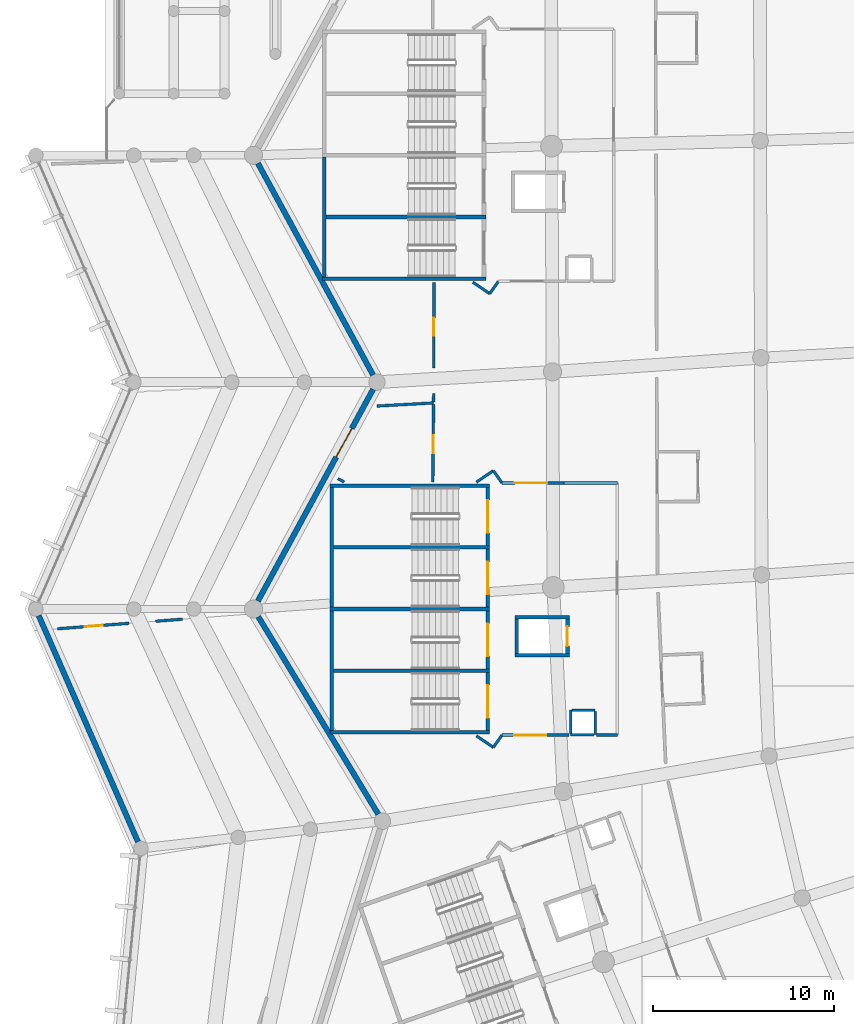
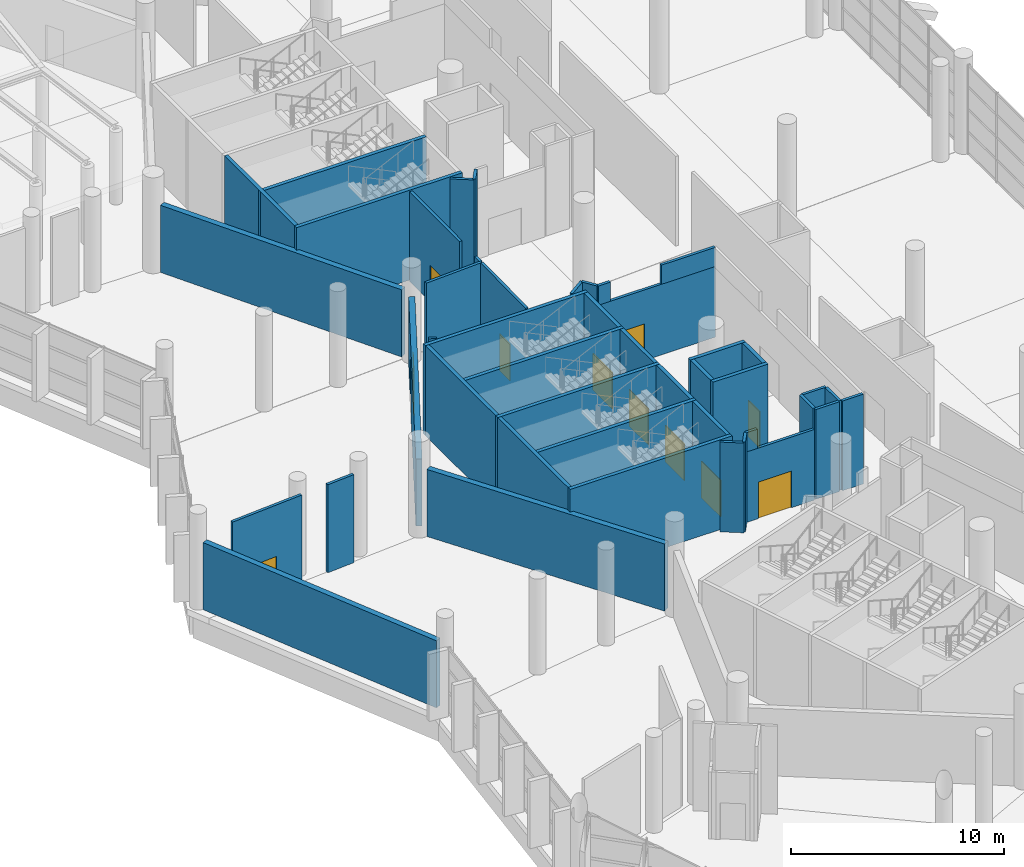
# One storey, part 166 of 271: 45 walls, 11 doors, 11 openings.
"""IFC4 building model written with IfcOpenShell, lengths in metres."""

from ifc_helpers import new_model, si_unit, direction, frame, frame_2d, origin, place, context, subcontext, project, spatial, rectangle, extrude, material, layer, layer_set, type_object, element, fill, save


model = new_model("IFC4")

# Units and contexts
model_context = context("Model", 3, precision=1e-05, world=origin(), true_north=direction((0.0, 1.0)))
body_context = subcontext(model_context, "Body", "Model", "MODEL_VIEW")
ifc_project = project(units=[si_unit("LENGTHUNIT", "METRE"), si_unit("AREAUNIT", "SQUARE_METRE"), si_unit("VOLUMEUNIT", "CUBIC_METRE"), si_unit("PLANEANGLEUNIT", "RADIAN"), si_unit("MASSUNIT", "GRAM", prefix="KILO")], contexts=[model_context])

# Site, building, storey
site_placement = place(None, origin())
site = spatial("IfcSite", under=ifc_project, at=site_placement, CompositionType="ELEMENT")
building_placement = place(site_placement, origin())
building = spatial("IfcBuilding", under=site, at=building_placement, Name="Meseta Stadium", CompositionType="ELEMENT")
storey_placement = place(building_placement, frame((0.0, 0.0, 6.5)))
storey = spatial("IfcBuildingStorey", under=building, at=storey_placement, Name="L01", CompositionType="ELEMENT", Elevation=6.5)

# Walls
ifc_material_1 = material(Name="Concrete C40/50", Category="concrete")
ifc_layer_1 = layer(ifc_material_1, 0.199951171875)
ifc_layer_set_1 = layer_set([ifc_layer_1], Name="Core divider wall 200")
wall_type_1 = type_object("IfcWallType", Name="Core divider wall 200", PredefinedType="SHEAR", material=ifc_layer_set_1)
wall_1_placement = place(storey_placement, frame((-97.60009765625, -22.14990234375, 0.0), z_axis=(0.0, 0.0, 1.0), x_axis=(1.0, 0.0, 0.0)))
element("IfcWall", 1, at=wall_1_placement, inside=storey, type_object=wall_type_1, Name="Core 18 L01 stair B divider wall", PredefinedType="SHEAR", context=body_context, shape_type="SweptSolid", body=[
    extrude(rectangle(XDim=9.0, YDim=0.199951171875, at=frame_2d((4.5, 0.0))), origin(), (0.0, 0.0, 1.0), 5.14990234375),
])
for number, where, z_axis, x_axis, name in (
    (2, (-97.199951171875, -40.35009765625, 0.0), (0.0, 0.0, 1.0), (1.0, 0.0, 0.0), "Core 19 L01 stair A divider wall"),
    (3, (-97.199951171875, -47.14990234375, 0.0), (0.0, 0.0, 1.0), (1.0, 0.0, 0.0), "Core 19 L01 stair B divider wall"),
):
    element("IfcWall", number, at=place(storey_placement, frame(where, z_axis=z_axis, x_axis=x_axis)), inside=storey, type_object=wall_type_1, Name=name, PredefinedType="SHEAR", context=body_context, shape_type="SweptSolid", body=[
        extrude(rectangle(XDim=8.800048828125, YDim=0.199951171875, at=frame_2d((4.39990234375, 0.0))), origin(), (0.0, 0.0, 1.0), 5.14990234375),
    ])
ifc_material_2 = material(Name="Concrete C40/50", Category="concrete")
ifc_layer_2 = layer(ifc_material_2, 0.199951171875)
ifc_layer_set_2 = layer_set([ifc_layer_2], Name="Core shaft wall 200")
wall_type_2 = type_object("IfcWallType", Name="Core shaft wall 200", PredefinedType="SHEAR", material=ifc_layer_set_2)
wall_2_placement = place(storey_placement, frame((-97.60009765625, -25.550048828125, 0.0), z_axis=(0.0, 0.0, 1.0), x_axis=(1.0, 0.0, 0.0)))
element("IfcWall", 4, at=wall_2_placement, inside=storey, type_object=wall_type_2, Name="Core 18 L01 stair wall B-side", PredefinedType="SHEAR", context=body_context, shape_type="SweptSolid", body=[
    extrude(rectangle(XDim=9.0, YDim=0.199951171875, at=frame_2d((4.5, 0.0))), origin(), (0.0, 0.0, 1.0), 5.14990234375),
])
wall_3_placement = place(storey_placement, frame((-97.5, -18.85009765625, 0.0), z_axis=(0.0, 0.0, 1.0), x_axis=(0.0, -1.0, 0.0)))
element("IfcWall", 5, at=wall_3_placement, inside=storey, type_object=wall_type_2, Name="Core 18 L01 stair B outer end wall", PredefinedType="SHEAR", context=body_context, shape_type="SweptSolid", body=[
    extrude(rectangle(XDim=6.599853515625, YDim=0.199951171875, at=frame_2d((3.2998046875, 0.0))), origin(), (0.0, 0.0, 1.0), 5.14990234375),
])
for number, where, z_axis, x_axis, name in (
    (6, (-97.199951171875, -36.949951171875, 0.0), (0.0, 0.0, 1.0), (1.0, 0.0, 0.0), "Core 19 L01 stair wall A-side"),
    (7, (-97.199951171875, -43.75, 0.0), (0.0, 0.0, 1.0), (1.0, 0.0, 0.0), "Core 19 L01 stair wall shared"),
    (8, (-97.199951171875, -50.550048828125, 0.0), (0.0, 0.0, 1.0), (1.0, 0.0, 0.0), "Core 19 L01 stair wall B-side"),
):
    element("IfcWall", number, at=place(storey_placement, frame(where, z_axis=z_axis, x_axis=x_axis)), inside=storey, type_object=wall_type_2, Name=name, PredefinedType="SHEAR", context=body_context, shape_type="SweptSolid", body=[
        extrude(rectangle(XDim=8.800048828125, YDim=0.199951171875, at=frame_2d((4.39990234375, 0.0))), origin(), (0.0, 0.0, 1.0), 5.14990234375),
    ])
for number, where, z_axis, x_axis, name in (
    (9, (-97.10009765625, -37.050048828125, 0.0), (0.0, 0.0, 1.0), (0.0, -1.0, 0.0), "Core 19 L01 stair A outer end wall"),
    (10, (-97.10009765625, -43.85009765625, 0.0), (0.0, 0.0, 1.0), (0.0, -1.0, 0.0), "Core 19 L01 stair B outer end wall"),
):
    element("IfcWall", number, at=place(storey_placement, frame(where, z_axis=z_axis, x_axis=x_axis)), inside=storey, type_object=wall_type_2, Name=name, PredefinedType="SHEAR", context=body_context, shape_type="SweptSolid", body=[
        extrude(rectangle(XDim=6.599853515625, YDim=0.199951171875, at=frame_2d((3.2998046875, 0.0))), origin(), (0.0, 0.0, 1.0), 5.14990234375),
    ])

# Wall, opening, door
wall_4_placement = place(storey_placement, frame((-88.5, -37.050048828125, 0.0), z_axis=(0.0, 0.0, 1.0), x_axis=(0.0, -1.0, 0.0)))
wall_4 = element("IfcWall", 11, at=wall_4_placement, inside=storey, type_object=wall_type_2, Name="Core 19 L01 stair A1 inner end wall", PredefinedType="SHEAR", context=body_context, shape_type="SweptSolid", body=[
    extrude(rectangle(XDim=3.199951171875, YDim=0.199951171875, at=frame_2d((1.60009765625, 0.0))), origin(), (0.0, 0.0, 1.0), 5.14990234375),
])
opening_1_placement = place(wall_4_placement, frame((0.699951171875, 0.0, 0.0)))
opening_1 = element("IfcOpeningElement", 12, at=opening_1_placement, cuts=wall_4, Name="Opening D265", PredefinedType="OPENING", context=body_context, shape_type="SweptSolid", body=[
    extrude(rectangle(XDim=1.800048828125, YDim=2.10009765625, at=frame_2d((0.89990234375, 1.050048828125))), frame((0.0, 0.10986328125, 0.0), z_axis=(0.0, -1.0, 0.0), x_axis=(1.0, 0.0, 0.0)), (0.0, 0.0, 1.0), 0.219970703125),
])
ifc_material_3 = material(Name="Steel", Category="steel")
door_type_1 = type_object("IfcDoorType", Name="Stair door 1800x2100", OperationType="DOUBLE_DOOR_SINGLE_SWING", PredefinedType="DOOR", material=ifc_material_3)
door_1_placement = place(opening_1_placement, origin())
door_1 = element("IfcDoor", 13, at=door_1_placement, inside=storey, type_object=door_type_1, Name="Stair A1 door 19 L01", OperationType="DOUBLE_DOOR_SINGLE_SWING", OverallHeight=2.10009765625, OverallWidth=1.800048828125, PredefinedType="DOOR", context=body_context, shape_type="SweptSolid", body=[
    extrude(rectangle(XDim=1.800048828125, YDim=2.10009765625, at=frame_2d((0.89990234375, 1.050048828125))), frame((0.0, 0.02490234375, 0.0), z_axis=(0.0, -1.0, 0.0), x_axis=(1.0, 0.0, 0.0)), (0.0, 0.0, 1.0), 0.050048828125),
])
fill(opening_1, door_1)

wall_5_placement = place(storey_placement, frame((-88.5, -40.449951171875, 0.0), z_axis=(0.0, 0.0, 1.0), x_axis=(0.0, -1.0, 0.0)))
wall_5 = element("IfcWall", 14, at=wall_5_placement, inside=storey, type_object=wall_type_2, Name="Core 19 L01 stair A2 inner end wall", PredefinedType="SHEAR", context=body_context, shape_type="SweptSolid", body=[
    extrude(rectangle(XDim=3.199951171875, YDim=0.199951171875, at=frame_2d((1.60009765625, 0.0))), origin(), (0.0, 0.0, 1.0), 5.14990234375),
])
opening_2_placement = place(wall_5_placement, frame((0.699951171875, 0.0, 0.0)))
opening_2 = element("IfcOpeningElement", 15, at=opening_2_placement, cuts=wall_5, Name="Opening D266", PredefinedType="OPENING", context=body_context, shape_type="SweptSolid", body=[
    extrude(rectangle(XDim=1.800048828125, YDim=2.10009765625, at=frame_2d((0.89990234375, 1.050048828125))), frame((0.0, 0.10986328125, 0.0), z_axis=(0.0, -1.0, 0.0), x_axis=(1.0, 0.0, 0.0)), (0.0, 0.0, 1.0), 0.219970703125),
])
door_2_placement = place(opening_2_placement, origin())
door_2 = element("IfcDoor", 16, at=door_2_placement, inside=storey, type_object=door_type_1, Name="Stair A2 door 19 L01", OperationType="DOUBLE_DOOR_SINGLE_SWING", OverallHeight=2.10009765625, OverallWidth=1.800048828125, PredefinedType="DOOR", context=body_context, shape_type="SweptSolid", body=[
    extrude(rectangle(XDim=1.800048828125, YDim=2.10009765625, at=frame_2d((0.89990234375, 1.050048828125))), frame((0.0, 0.02490234375, 0.0), z_axis=(0.0, -1.0, 0.0), x_axis=(1.0, 0.0, 0.0)), (0.0, 0.0, 1.0), 0.050048828125),
])
fill(opening_2, door_2)

wall_6_placement = place(storey_placement, frame((-88.5, -43.85009765625, 0.0), z_axis=(0.0, 0.0, 1.0), x_axis=(0.0, -1.0, 0.0)))
wall_6 = element("IfcWall", 17, at=wall_6_placement, inside=storey, type_object=wall_type_2, Name="Core 19 L01 stair B1 inner end wall", PredefinedType="SHEAR", context=body_context, shape_type="SweptSolid", body=[
    extrude(rectangle(XDim=3.199951171875, YDim=0.199951171875, at=frame_2d((1.60009765625, 0.0))), origin(), (0.0, 0.0, 1.0), 5.14990234375),
])
opening_3_placement = place(wall_6_placement, frame((0.699951171875, 0.0, 0.0)))
opening_3 = element("IfcOpeningElement", 18, at=opening_3_placement, cuts=wall_6, Name="Opening D267", PredefinedType="OPENING", context=body_context, shape_type="SweptSolid", body=[
    extrude(rectangle(XDim=1.800048828125, YDim=2.10009765625, at=frame_2d((0.89990234375, 1.050048828125))), frame((0.0, 0.10986328125, 0.0), z_axis=(0.0, -1.0, 0.0), x_axis=(1.0, 0.0, 0.0)), (0.0, 0.0, 1.0), 0.219970703125),
])
door_3_placement = place(opening_3_placement, origin())
door_3 = element("IfcDoor", 19, at=door_3_placement, inside=storey, type_object=door_type_1, Name="Stair B1 door 19 L01", OperationType="DOUBLE_DOOR_SINGLE_SWING", OverallHeight=2.10009765625, OverallWidth=1.800048828125, PredefinedType="DOOR", context=body_context, shape_type="SweptSolid", body=[
    extrude(rectangle(XDim=1.800048828125, YDim=2.10009765625, at=frame_2d((0.89990234375, 1.050048828125))), frame((0.0, 0.02490234375, 0.0), z_axis=(0.0, -1.0, 0.0), x_axis=(1.0, 0.0, 0.0)), (0.0, 0.0, 1.0), 0.050048828125),
])
fill(opening_3, door_3)

wall_7_placement = place(storey_placement, frame((-88.5, -47.25, 0.0), z_axis=(0.0, 0.0, 1.0), x_axis=(0.0, -1.0, 0.0)))
wall_7 = element("IfcWall", 20, at=wall_7_placement, inside=storey, type_object=wall_type_2, Name="Core 19 L01 stair B2 inner end wall", PredefinedType="SHEAR", context=body_context, shape_type="SweptSolid", body=[
    extrude(rectangle(XDim=3.199951171875, YDim=0.199951171875, at=frame_2d((1.60009765625, 0.0))), origin(), (0.0, 0.0, 1.0), 5.14990234375),
])
opening_4_placement = place(wall_7_placement, frame((0.699951171875, 0.0, 0.0)))
opening_4 = element("IfcOpeningElement", 21, at=opening_4_placement, cuts=wall_7, Name="Opening D268", PredefinedType="OPENING", context=body_context, shape_type="SweptSolid", body=[
    extrude(rectangle(XDim=1.800048828125, YDim=2.10009765625, at=frame_2d((0.89990234375, 1.050048828125))), frame((0.0, 0.10986328125, 0.0), z_axis=(0.0, -1.0, 0.0), x_axis=(1.0, 0.0, 0.0)), (0.0, 0.0, 1.0), 0.219970703125),
])
door_4_placement = place(opening_4_placement, origin())
door_4 = element("IfcDoor", 22, at=door_4_placement, inside=storey, type_object=door_type_1, Name="Stair B2 door 19 L01", OperationType="DOUBLE_DOOR_SINGLE_SWING", OverallHeight=2.10009765625, OverallWidth=1.800048828125, PredefinedType="DOOR", context=body_context, shape_type="SweptSolid", body=[
    extrude(rectangle(XDim=1.800048828125, YDim=2.10009765625, at=frame_2d((0.89990234375, 1.050048828125))), frame((0.0, 0.02490234375, 0.0), z_axis=(0.0, -1.0, 0.0), x_axis=(1.0, 0.0, 0.0)), (0.0, 0.0, 1.0), 0.050048828125),
])
fill(opening_4, door_4)

# Walls
for number, where, z_axis, x_axis, name in (
    (23, (-87.0, -44.199951171875, 0.0), (0.0, 0.0, 1.0), (1.0, 0.0, 0.0), "Core 19 L01 lift shaft wall left"),
    (24, (-87.0, -46.300048828125, 0.0), (0.0, 0.0, 1.0), (1.0, 0.0, 0.0), "Core 19 L01 lift shaft wall right"),
):
    element("IfcWall", number, at=place(storey_placement, frame(where, z_axis=z_axis, x_axis=x_axis)), inside=storey, type_object=wall_type_2, Name=name, PredefinedType="SHEAR", context=body_context, shape_type="SweptSolid", body=[
        extrude(rectangle(XDim=3.0, YDim=0.199951171875, at=frame_2d((1.5, 0.0))), origin(), (0.0, 0.0, 1.0), 5.14990234375),
    ])
wall_8_placement = place(storey_placement, frame((-86.89990234375, -44.300048828125, 0.0), z_axis=(0.0, 0.0, 1.0), x_axis=(0.0, -1.0, 0.0)))
element("IfcWall", 25, at=wall_8_placement, inside=storey, type_object=wall_type_2, Name="Core 19 L01 lift shaft back wall", PredefinedType="SHEAR", context=body_context, shape_type="SweptSolid", body=[
    extrude(rectangle(XDim=1.89990234375, YDim=0.199951171875, at=frame_2d((0.949951171875, 0.0))), origin(), (0.0, 0.0, 1.0), 5.14990234375),
])

# Wall, opening, door
wall_9_placement = place(storey_placement, frame((-84.10009765625, -44.300048828125, 0.0), z_axis=(0.0, 0.0, 1.0), x_axis=(0.0, -1.0, 0.0)))
wall_9 = element("IfcWall", 26, at=wall_9_placement, inside=storey, type_object=wall_type_2, Name="Core 19 L01 lift shaft front wall", PredefinedType="SHEAR", context=body_context, shape_type="SweptSolid", body=[
    extrude(rectangle(XDim=1.89990234375, YDim=0.199951171875, at=frame_2d((0.949951171875, 0.0))), origin(), (0.0, 0.0, 1.0), 5.14990234375),
])
opening_5_placement = place(wall_9_placement, frame((0.39990234375, 0.0, 0.0)))
opening_5 = element("IfcOpeningElement", 27, at=opening_5_placement, cuts=wall_9, Name="Opening LD105", PredefinedType="OPENING", context=body_context, shape_type="SweptSolid", body=[
    extrude(rectangle(XDim=1.10009765625, YDim=2.10009765625, at=frame_2d((0.550048828125, 1.050048828125))), frame((0.0, 0.10986328125, 0.0), z_axis=(0.0, -1.0, 0.0), x_axis=(1.0, 0.0, 0.0)), (0.0, 0.0, 1.0), 0.219970703125),
])
ifc_material_4 = material(Name="Steel", Category="steel")
door_type_2 = type_object("IfcDoorType", Name="Lift landing door 1100x2100", OperationType="SLIDING_TO_LEFT", PredefinedType="DOOR", material=ifc_material_4)
door_5_placement = place(opening_5_placement, origin())
door_5 = element("IfcDoor", 28, at=door_5_placement, inside=storey, type_object=door_type_2, Name="Lift landing door LD105", OperationType="SLIDING_TO_LEFT", OverallHeight=2.10009765625, OverallWidth=1.10009765625, PredefinedType="DOOR", context=body_context, shape_type="SweptSolid", body=[
    extrude(rectangle(XDim=1.10009765625, YDim=2.10009765625, at=frame_2d((0.550048828125, 1.050048828125))), frame((0.0, 0.02490234375, 0.0), z_axis=(0.0, -1.0, 0.0), x_axis=(1.0, 0.0, 0.0)), (0.0, 0.0, 1.0), 0.050048828125),
])
fill(opening_5, door_5)

# Walls
ifc_material_5 = material(Name="Masonry blockwork", Category="masonry")
ifc_layer_3 = layer(ifc_material_5, 0.14990234375)
ifc_layer_set_3 = layer_set([ifc_layer_3], Name="Partition 150")
wall_type_3 = type_object("IfcWallType", Name="Partition 150", PredefinedType="PARTITIONING", material=ifc_layer_set_3)
wall_10_placement = place(storey_placement, frame((-96.408447265625, -36.75, 0.0), z_axis=(0.0, 0.0, 1.0), x_axis=(-0.878438378965, 0.477855641759, 0.0)))
element("IfcWall", 29, at=wall_10_placement, inside=storey, type_object=wall_type_3, Name="Partition L01 L01-cell17-2-0a", PredefinedType="PARTITIONING", context=body_context, shape_type="SweptSolid", body=[
    extrude(rectangle(XDim=0.39501953125, YDim=0.14990234375, at=frame_2d((0.197509765625, 0.0))), origin(), (0.0, 0.0, 1.0), 5.14990234375),
])
wall_11_placement = place(storey_placement, frame((-94.59912109375, -32.56591796875, 0.0), z_axis=(0.0, 0.0, 1.0), x_axis=(0.998501215995, 0.054729531845, 0.0)))
element("IfcWall", 30, at=wall_11_placement, inside=storey, type_object=wall_type_3, Name="Partition L01 L01-cell17-2-0a", PredefinedType="PARTITIONING", context=body_context, shape_type="SweptSolid", body=[
    extrude(rectangle(XDim=3.12255859375, YDim=0.14990234375, at=frame_2d((1.561279296875, 0.0))), origin(), (0.0, 0.0, 1.0), 5.14990234375),
])

# Wall, opening, door
wall_12_placement = place(storey_placement, frame((-91.48193359375, -32.469970703125, 0.0), z_axis=(0.0, 0.0, 1.0), x_axis=(-0.009411482079, -0.999955711022, 0.0)))
wall_12 = element("IfcWall", 31, at=wall_12_placement, inside=storey, type_object=wall_type_3, Name="Partition L01 L01-cell17-2-0a", PredefinedType="PARTITIONING", context=body_context, shape_type="SweptSolid", body=[
    extrude(rectangle(XDim=4.2802734375, YDim=0.14990234375, at=frame_2d((2.14013671875, 0.0))), origin(), (0.0, 0.0, 1.0), 5.14990234375),
])
opening_6_placement = place(wall_12_placement, frame((1.699951171875, 0.0, 0.0)))
opening_6 = element("IfcOpeningElement", 32, at=opening_6_placement, cuts=wall_12, Name="Opening D664", PredefinedType="OPENING", context=body_context, shape_type="SweptSolid", body=[
    extrude(rectangle(XDim=1.0, YDim=2.10009765625, at=frame_2d((0.5, 1.050048828125))), frame((0.0, 0.0849609375, 0.0), z_axis=(0.0, -1.0, 0.0), x_axis=(1.0, 0.0, 0.0)), (0.0, 0.0, 1.0), 0.169921875),
])
ifc_material_6 = material(Name="Timber", Category="wood")
door_type_3 = type_object("IfcDoorType", Name="Room door 1000x2100", OperationType="NOTDEFINED", PredefinedType="DOOR", material=ifc_material_6)
door_6_placement = place(opening_6_placement, origin())
door_6 = element("IfcDoor", 33, at=door_6_placement, inside=storey, type_object=door_type_3, Name="Door D664", OperationType="SINGLE_SWING_LEFT", OverallHeight=2.10009765625, OverallWidth=1.0, PredefinedType="DOOR", context=body_context, shape_type="SweptSolid", body=[
    extrude(rectangle(XDim=1.0, YDim=2.10009765625, at=frame_2d((0.5, 1.050048828125))), frame((0.0, 0.02490234375, 0.0), z_axis=(0.0, -1.0, 0.0), x_axis=(1.0, 0.0, 0.0)), (0.0, 0.0, 1.0), 0.050048828125),
])
fill(opening_6, door_6)

wall_13_placement = place(storey_placement, frame((-91.454833984375, -25.75, 0.0), z_axis=(0.0, 0.0, 1.0), x_axis=(-0.003886987998, -0.999992445634, 0.0)))
wall_13 = element("IfcWall", 34, at=wall_13_placement, inside=storey, type_object=wall_type_3, Name="Partition L01 L01-cell17-2-0w", PredefinedType="PARTITIONING", context=body_context, shape_type="SweptSolid", body=[
    extrude(rectangle(XDim=4.710693359375, YDim=0.14990234375, at=frame_2d((2.35546875, 0.0))), origin(), (0.0, 0.0, 1.0), 5.14990234375),
])
opening_7_placement = place(wall_13_placement, frame((1.949951171875, 0.0, 0.0)))
opening_7 = element("IfcOpeningElement", 35, at=opening_7_placement, cuts=wall_13, Name="Opening D665", PredefinedType="OPENING", context=body_context, shape_type="SweptSolid", body=[
    extrude(rectangle(XDim=1.0, YDim=2.10009765625, at=frame_2d((0.5, 1.050048828125))), frame((0.0, 0.0849609375, 0.0), z_axis=(0.0, -1.0, 0.0), x_axis=(1.0, 0.0, 0.0)), (0.0, 0.0, 1.0), 0.169921875),
])
door_7_placement = place(opening_7_placement, origin())
door_7 = element("IfcDoor", 36, at=door_7_placement, inside=storey, type_object=door_type_3, Name="Door D665", OperationType="SINGLE_SWING_RIGHT", OverallHeight=2.10009765625, OverallWidth=1.0, PredefinedType="DOOR", context=body_context, shape_type="SweptSolid", body=[
    extrude(rectangle(XDim=1.0, YDim=2.10009765625, at=frame_2d((0.5, 1.050048828125))), frame((0.0, 0.02490234375, 0.0), z_axis=(0.0, -1.0, 0.0), x_axis=(1.0, 0.0, 0.0)), (0.0, 0.0, 1.0), 0.050048828125),
])
fill(opening_7, door_7)

# Walls
wall_14_placement = place(storey_placement, frame((-91.478759765625, -31.873779296875, 0.0), z_axis=(0.0, 0.0, 1.0), x_axis=(-0.00362691915, -0.999993422707, 0.0)))
element("IfcWall", 37, at=wall_14_placement, inside=storey, type_object=wall_type_3, Name="Partition L01 L01-cell17-2-0w", PredefinedType="PARTITIONING", context=body_context, shape_type="SweptSolid", body=[
    extrude(rectangle(XDim=0.47119140625, YDim=0.14990234375, at=frame_2d((0.235595703125, 0.0))), origin(), (0.0, 0.0, 1.0), 5.14990234375),
])
wall_15_placement = place(storey_placement, frame((-105.318115234375, -44.311767578125, 0.0), z_axis=(0.0, 0.0, 1.0), x_axis=(-0.997067085138, -0.076532527296, 0.0)))
element("IfcWall", 38, at=wall_15_placement, inside=storey, type_object=wall_type_3, Name="Partition L01 L01-ring17-0", PredefinedType="PARTITIONING", context=body_context, shape_type="SweptSolid", body=[
    extrude(rectangle(XDim=1.480224609375, YDim=0.14990234375, at=frame_2d((0.740234375, 0.0))), origin(), (0.0, 0.0, 1.0), 5.050048828125),
])

# Wall, opening, door
wall_16_placement = place(storey_placement, frame((-108.269775390625, -44.538330078125, 0.0), z_axis=(0.0, 0.0, 1.0), x_axis=(-0.997068658219, -0.07651203041, 0.0)))
wall_16 = element("IfcWall", 39, at=wall_16_placement, inside=storey, type_object=wall_type_3, Name="Partition L01 L01-ring17-0", PredefinedType="PARTITIONING", context=body_context, shape_type="SweptSolid", body=[
    extrude(rectangle(XDim=3.947021484375, YDim=0.14990234375, at=frame_2d((1.9736328125, 0.0))), origin(), (0.0, 0.0, 1.0), 5.050048828125),
])
opening_8_placement = place(wall_16_placement, frame((1.449951171875, 0.0, 0.0)))
opening_8 = element("IfcOpeningElement", 40, at=opening_8_placement, cuts=wall_16, Name="Opening D697", PredefinedType="OPENING", context=body_context, shape_type="SweptSolid", body=[
    extrude(rectangle(XDim=1.0, YDim=2.10009765625, at=frame_2d((0.5, 1.050048828125))), frame((0.0, 0.0849609375, 0.0), z_axis=(0.0, -1.0, 0.0), x_axis=(1.0, 0.0, 0.0)), (0.0, 0.0, 1.0), 0.169921875),
])
ifc_material_7 = material(Name="Steel", Category="steel")
door_type_4 = type_object("IfcDoorType", Name="Fire door 1000x2100 EI2 60", OperationType="NOTDEFINED", PredefinedType="DOOR", material=ifc_material_7)
door_8_placement = place(opening_8_placement, origin())
door_8 = element("IfcDoor", 41, at=door_8_placement, inside=storey, type_object=door_type_4, Name="Door D697", OperationType="SINGLE_SWING_RIGHT", OverallHeight=2.10009765625, OverallWidth=1.0, PredefinedType="DOOR", context=body_context, shape_type="SweptSolid", body=[
    extrude(rectangle(XDim=1.0, YDim=2.10009765625, at=frame_2d((0.5, 1.050048828125))), frame((0.0, 0.02490234375, 0.0), z_axis=(0.0, -1.0, 0.0), x_axis=(1.0, 0.0, 0.0)), (0.0, 0.0, 1.0), 0.050048828125),
])
fill(opening_8, door_8)

# Walls
wall_17_placement = place(storey_placement, frame((-89.319580078125, -25.739501953125, 0.0), z_axis=(0.0, 0.0, 1.0), x_axis=(0.827055308354, -0.562120553728, 0.0)))
element("IfcWall", 42, at=wall_17_placement, inside=storey, type_object=wall_type_3, Name="Stair vestibule wall L01 core 18", PredefinedType="PARTITIONING", context=body_context, shape_type="SweptSolid", body=[
    extrude(rectangle(XDim=1.1279296875, YDim=0.14990234375, at=frame_2d((0.56396484375, 0.0))), origin(), (0.0, 0.0, 1.0), 5.14990234375),
])
wall_18_placement = place(storey_placement, frame((-88.38671875, -26.37353515625, 0.0), z_axis=(0.0, 0.0, 1.0), x_axis=(0.575376756214, 0.817888493872, 0.0)))
element("IfcWall", 43, at=wall_18_placement, inside=storey, type_object=wall_type_3, Name="Stair vestibule wall L01 core 18", PredefinedType="PARTITIONING", context=body_context, shape_type="SweptSolid", body=[
    extrude(rectangle(XDim=0.82958984375, YDim=0.14990234375, at=frame_2d((0.414794921875, 0.0))), origin(), (0.0, 0.0, 1.0), 5.14990234375),
])
for number, where, z_axis, x_axis, name in (
    (44, (-83.925048828125, -49.324951171875, 0.0), (0.0, 0.0, 1.0), (0.0, -1.0, 0.0), "Pressurisation shaft wall L01 core 19"),
    (45, (-83.925048828125, -50.675048828125, 0.0), (0.0, 0.0, 1.0), (1.0, 0.0, 0.0), "Pressurisation shaft wall L01 core 19"),
    (46, (-82.574951171875, -50.675048828125, 0.0), (0.0, 0.0, 1.0), (0.0, 1.0, 0.0), "Pressurisation shaft wall L01 core 19"),
    (47, (-82.574951171875, -49.324951171875, 0.0), (0.0, 0.0, 1.0), (-1.0, 0.0, 0.0), "Pressurisation shaft wall L01 core 19"),
):
    element("IfcWall", number, at=place(storey_placement, frame(where, z_axis=z_axis, x_axis=x_axis)), inside=storey, type_object=wall_type_3, Name=name, PredefinedType="PARTITIONING", context=body_context, shape_type="SweptSolid", body=[
        extrude(rectangle(XDim=1.275146484375, YDim=0.14990234375, at=frame_2d((0.6376953125, 0.0))), origin(), (0.0, 0.0, 1.0), 5.14990234375),
    ])
wall_19_placement = place(storey_placement, frame((-89.11962890625, -50.739501953125, 0.0), z_axis=(0.0, 0.0, 1.0), x_axis=(0.827055308354, -0.562120553728, 0.0)))
element("IfcWall", 48, at=wall_19_placement, inside=storey, type_object=wall_type_3, Name="Stair vestibule wall L01 core 19", PredefinedType="PARTITIONING", context=body_context, shape_type="SweptSolid", body=[
    extrude(rectangle(XDim=1.1279296875, YDim=0.14990234375, at=frame_2d((0.56396484375, 0.0))), origin(), (0.0, 0.0, 1.0), 5.14990234375),
])
wall_20_placement = place(storey_placement, frame((-88.186767578125, -51.37353515625, 0.0), z_axis=(0.0, 0.0, 1.0), x_axis=(0.575376756214, 0.817888493872, 0.0)))
element("IfcWall", 49, at=wall_20_placement, inside=storey, type_object=wall_type_3, Name="Stair vestibule wall L01 core 19", PredefinedType="PARTITIONING", context=body_context, shape_type="SweptSolid", body=[
    extrude(rectangle(XDim=0.82958984375, YDim=0.14990234375, at=frame_2d((0.414794921875, 0.0))), origin(), (0.0, 0.0, 1.0), 5.14990234375),
])

# Wall, opening, door
wall_21_placement = place(storey_placement, frame((-87.70947265625, -50.695068359375, 0.0), z_axis=(0.0, 0.0, 1.0), x_axis=(1.0, 0.0, 0.0)))
wall_21 = element("IfcWall", 50, at=wall_21_placement, inside=storey, type_object=wall_type_3, Name="Stair vestibule wall L01 core 19", PredefinedType="PARTITIONING", context=body_context, shape_type="SweptSolid", body=[
    extrude(rectangle(XDim=3.70361328125, YDim=0.14990234375, at=frame_2d((1.851806640625, 0.0))), origin(), (0.0, 0.0, 1.0), 4.050048828125),
])
opening_9_placement = place(wall_21_placement, frame((0.64990234375, 0.0, 0.0)))
opening_9 = element("IfcOpeningElement", 51, at=opening_9_placement, cuts=wall_21, Name="Opening D792", PredefinedType="OPENING", context=body_context, shape_type="SweptSolid", body=[
    extrude(rectangle(XDim=1.800048828125, YDim=2.10009765625, at=frame_2d((0.89990234375, 1.050048828125))), frame((0.0, 0.0849609375, 0.0), z_axis=(0.0, -1.0, 0.0), x_axis=(1.0, 0.0, 0.0)), (0.0, 0.0, 1.0), 0.169921875),
])
ifc_material_8 = material(Name="Steel", Category="steel")
door_type_5 = type_object("IfcDoorType", Name="Fire double door 1800x2100 EI2 60", OperationType="DOUBLE_DOOR_SINGLE_SWING", PredefinedType="DOOR", material=ifc_material_8)
door_9_placement = place(opening_9_placement, origin())
door_9 = element("IfcDoor", 52, at=door_9_placement, inside=storey, type_object=door_type_5, Name="Stair vestibule door L01 core 19", OperationType="DOUBLE_DOOR_SINGLE_SWING", OverallHeight=2.10009765625, OverallWidth=1.800048828125, PredefinedType="DOOR", context=body_context, shape_type="SweptSolid", body=[
    extrude(rectangle(XDim=1.800048828125, YDim=2.10009765625, at=frame_2d((0.89990234375, 1.050048828125))), frame((0.0, 0.02490234375, 0.0), z_axis=(0.0, -1.0, 0.0), x_axis=(1.0, 0.0, 0.0)), (0.0, 0.0, 1.0), 0.050048828125),
])
fill(opening_9, door_9)

# Walls
wall_22_placement = place(storey_placement, frame((-87.70947265625, -50.695068359375, 4.050048828125), z_axis=(0.0, 0.0, 1.0), x_axis=(1.0, 0.0, 0.0)))
element("IfcWall", 53, at=wall_22_placement, inside=storey, type_object=wall_type_3, Name="Stair vestibule wall L01 core 19", PredefinedType="PARTITIONING", context=body_context, shape_type="SweptSolid", body=[
    extrude(rectangle(XDim=0.599853515625, YDim=0.14990234375, at=frame_2d((0.2998046875, 0.0))), origin(), (0.0, 0.0, 1.0), 1.099853515625),
])
wall_23_placement = place(storey_placement, frame((-82.489990234375, -50.695068359375, 0.0), z_axis=(0.0, 0.0, 1.0), x_axis=(1.0, 0.0, 0.0)))
element("IfcWall", 54, at=wall_23_placement, inside=storey, type_object=wall_type_3, Name="Stair vestibule wall L01 core 19", PredefinedType="PARTITIONING", context=body_context, shape_type="SweptSolid", body=[
    extrude(rectangle(XDim=1.135009765625, YDim=0.14990234375, at=frame_2d((0.5673828125, 0.0))), origin(), (0.0, 0.0, 1.0), 5.14990234375),
])

# Wall, opening, door
wall_24_placement = place(storey_placement, frame((-81.35498046875, -36.804931640625, 0.0), z_axis=(0.0, 0.0, 1.0), x_axis=(-1.0, 0.0, 0.0)))
wall_24 = element("IfcWall", 55, at=wall_24_placement, inside=storey, type_object=wall_type_3, Name="Stair vestibule wall L01 core 19", PredefinedType="PARTITIONING", context=body_context, shape_type="SweptSolid", body=[
    extrude(rectangle(XDim=6.354248046875, YDim=0.14990234375, at=frame_2d((3.17724609375, 0.0))), origin(), (0.0, 0.0, 1.0), 4.050048828125),
])
opening_10_placement = place(wall_24_placement, frame((3.85009765625, 0.0, 0.0)))
opening_10 = element("IfcOpeningElement", 56, at=opening_10_placement, cuts=wall_24, Name="Opening D793", PredefinedType="OPENING", context=body_context, shape_type="SweptSolid", body=[
    extrude(rectangle(XDim=1.800048828125, YDim=2.10009765625, at=frame_2d((0.89990234375, 1.050048828125))), frame((0.0, 0.0849609375, 0.0), z_axis=(0.0, -1.0, 0.0), x_axis=(1.0, 0.0, 0.0)), (0.0, 0.0, 1.0), 0.169921875),
])
door_10_placement = place(opening_10_placement, origin())
door_10 = element("IfcDoor", 57, at=door_10_placement, inside=storey, type_object=door_type_5, Name="Stair vestibule door L01 core 19", OperationType="DOUBLE_DOOR_SINGLE_SWING", OverallHeight=2.10009765625, OverallWidth=1.800048828125, PredefinedType="DOOR", context=body_context, shape_type="SweptSolid", body=[
    extrude(rectangle(XDim=1.800048828125, YDim=2.10009765625, at=frame_2d((0.89990234375, 1.050048828125))), frame((0.0, 0.02490234375, 0.0), z_axis=(0.0, -1.0, 0.0), x_axis=(1.0, 0.0, 0.0)), (0.0, 0.0, 1.0), 0.050048828125),
])
fill(opening_10, door_10)

# Walls
wall_25_placement = place(storey_placement, frame((-81.35498046875, -36.804931640625, 4.050048828125), z_axis=(0.0, 0.0, 1.0), x_axis=(-1.0, 0.0, 0.0)))
element("IfcWall", 58, at=wall_25_placement, inside=storey, type_object=wall_type_3, Name="Stair vestibule wall L01 core 19", PredefinedType="PARTITIONING", context=body_context, shape_type="SweptSolid", body=[
    extrude(rectangle(XDim=2.9326171875, YDim=0.14990234375, at=frame_2d((1.46630859375, 0.0))), origin(), (0.0, 0.0, 1.0), 1.099853515625),
])
wall_26_placement = place(storey_placement, frame((-87.054931640625, -36.804931640625, 4.050048828125), z_axis=(0.0, 0.0, 1.0), x_axis=(-1.0, 0.0, 0.0)))
element("IfcWall", 59, at=wall_26_placement, inside=storey, type_object=wall_type_3, Name="Stair vestibule wall L01 core 19", PredefinedType="PARTITIONING", context=body_context, shape_type="SweptSolid", body=[
    extrude(rectangle(XDim=0.654296875, YDim=0.14990234375, at=frame_2d((0.3271484375, 0.0))), origin(), (0.0, 0.0, 1.0), 1.099853515625),
])
wall_27_placement = place(storey_placement, frame((-87.709228515625, -36.804931640625, 0.0), z_axis=(0.0, 0.0, 1.0), x_axis=(-0.575573582652, 0.81774999294, 0.0)))
element("IfcWall", 60, at=wall_27_placement, inside=storey, type_object=wall_type_3, Name="Stair vestibule wall L01 core 19", PredefinedType="PARTITIONING", context=body_context, shape_type="SweptSolid", body=[
    extrude(rectangle(XDim=0.82958984375, YDim=0.14990234375, at=frame_2d((0.414794921875, 0.0))), origin(), (0.0, 0.0, 1.0), 5.14990234375),
])
wall_28_placement = place(storey_placement, frame((-88.186767578125, -36.12646484375, 0.0), z_axis=(0.0, 0.0, 1.0), x_axis=(-0.827055308354, -0.562120553728, 0.0)))
element("IfcWall", 61, at=wall_28_placement, inside=storey, type_object=wall_type_3, Name="Stair vestibule wall L01 core 19", PredefinedType="PARTITIONING", context=body_context, shape_type="SweptSolid", body=[
    extrude(rectangle(XDim=1.1279296875, YDim=0.14990234375, at=frame_2d((0.56396484375, 0.0))), origin(), (0.0, 0.0, 1.0), 5.14990234375),
])
ifc_material_9 = material(Name="White precast concrete C40/50", Category="concrete")
ifc_layer_4 = layer(ifc_material_9, 0.300048828125)
ifc_layer_set_4 = layer_set([ifc_layer_4], Name="Pleated panel wall 300 concourse")
wall_type_4 = type_object("IfcWallType", Name="Pleated panel wall 300 concourse", PredefinedType="SOLIDWALL", material=ifc_layer_set_4)
wall_29_placement = place(storey_placement, frame((-94.81494140625, -30.854736328125, 0.0), z_axis=(0.0, 0.0, 1.0), x_axis=(-0.477867771117, 0.878431780691, 0.0)))
element("IfcWall", 62, at=wall_29_placement, inside=storey, type_object=wall_type_4, Name="Pleated facade panel L01 F34", PredefinedType="SOLIDWALL", context=body_context, shape_type="SweptSolid", body=[
    extrude(rectangle(XDim=13.2802734375, YDim=0.300048828125, at=frame_2d((6.64013671875, 0.0))), origin(), (0.0, 0.0, 1.0), 3.85009765625),
])

# Wall, opening, door
wall_30_placement = place(storey_placement, frame((-101.1611328125, -43.31103515625, 0.0), z_axis=(0.0, 0.0, 1.0), x_axis=(0.477867771117, 0.878431780691, 0.0)))
wall_30 = element("IfcWall", 63, at=wall_30_placement, inside=storey, type_object=wall_type_4, Name="Pleated facade panel L01 F35", PredefinedType="SOLIDWALL", context=body_context, shape_type="SweptSolid", body=[
    extrude(rectangle(XDim=13.2802734375, YDim=0.300048828125, at=frame_2d((6.64013671875, 0.0))), origin(), (0.0, 0.0, 1.0), 3.85009765625),
])
opening_11_placement = place(wall_30_placement, frame((9.030029296875, 0.0, 0.0)))
opening_11 = element("IfcOpeningElement", 64, at=opening_11_placement, cuts=wall_30, Name="Opening D992", PredefinedType="OPENING", context=body_context, shape_type="SweptSolid", body=[
    extrude(rectangle(XDim=1.800048828125, YDim=2.39990234375, at=frame_2d((0.89990234375, 1.199951171875))), frame((0.0, 0.159912109375, 0.0), z_axis=(0.0, -1.0, 0.0), x_axis=(1.0, 0.0, 0.0)), (0.0, 0.0, 1.0), 0.320068359375),
])
ifc_material_10 = material(Name="Steel", Category="steel")
door_type_6 = type_object("IfcDoorType", Name="Concourse double door 1800x2400", OperationType="DOUBLE_DOOR_SINGLE_SWING", PredefinedType="DOOR", material=ifc_material_10)
door_11_placement = place(opening_11_placement, origin())
door_11 = element("IfcDoor", 65, at=door_11_placement, inside=storey, type_object=door_type_6, Name="Concourse door", OperationType="DOUBLE_DOOR_SINGLE_SWING", OverallHeight=2.39990234375, OverallWidth=1.800048828125, PredefinedType="DOOR", context=body_context, shape_type="SweptSolid", body=[
    extrude(rectangle(XDim=1.800048828125, YDim=2.39990234375, at=frame_2d((0.89990234375, 1.199951171875))), frame((0.0, 0.02490234375, 0.0), z_axis=(0.0, -1.0, 0.0), x_axis=(1.0, 0.0, 0.0)), (0.0, 0.0, 1.0), 0.050048828125),
])
fill(opening_11, door_11)

# Walls
wall_31_placement = place(storey_placement, frame((-94.52783203125, -55.057373046875, 0.0), z_axis=(0.0, 0.0, 1.0), x_axis=(-0.519362860044, 0.854553813172, 0.0)))
element("IfcWall", 66, at=wall_31_placement, inside=storey, type_object=wall_type_4, Name="Pleated facade panel L01 F36", PredefinedType="SOLIDWALL", context=body_context, shape_type="SweptSolid", body=[
    extrude(rectangle(XDim=12.732421875, YDim=0.300048828125, at=frame_2d((6.3662109375, 0.0))), origin(), (0.0, 0.0, 1.0), 3.85009765625),
])
ifc_material_11 = material(Name="Precast concrete C40/50", Category="concrete")
ifc_layer_5 = layer(ifc_material_11, 0.300048828125)
ifc_layer_set_5 = layer_set([ifc_layer_5], Name="Ring facade panel wall 300")
wall_type_5 = type_object("IfcWallType", Name="Ring facade panel wall 300", PredefinedType="SOLIDWALL", material=ifc_layer_set_5)
wall_32_placement = place(storey_placement, frame((-107.77099609375, -56.575439453125, 0.0), z_axis=(0.0, 0.0, 1.0), x_axis=(-0.401888790881, 0.915688484018, 0.0)))
element("IfcWall", 67, at=wall_32_placement, inside=storey, type_object=wall_type_5, Name="Ring plant panel wall L01 F36", PredefinedType="SOLIDWALL", context=body_context, shape_type="SweptSolid", body=[
    extrude(rectangle(XDim=13.6064453125, YDim=0.300048828125, at=frame_2d((6.80322265625, 0.0))), origin(), (0.0, 0.0, 1.0), 3.85009765625),
])

save(model, "model.ifc")
